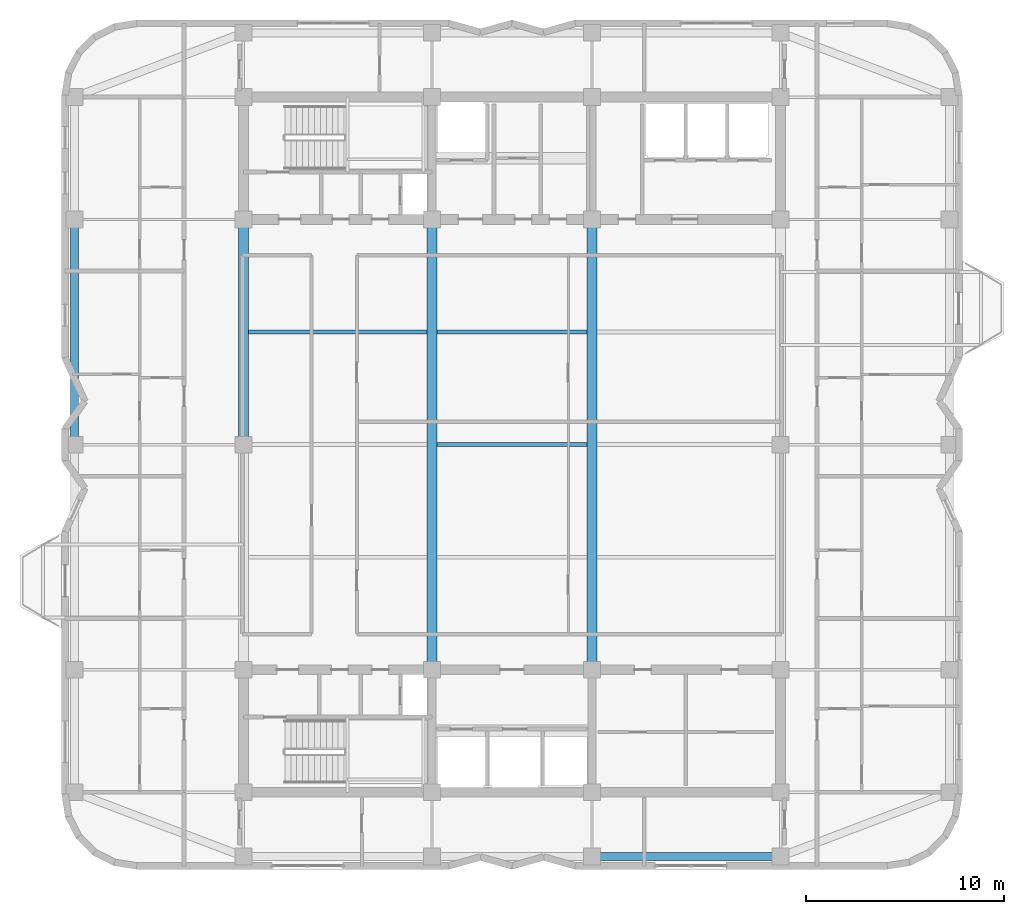
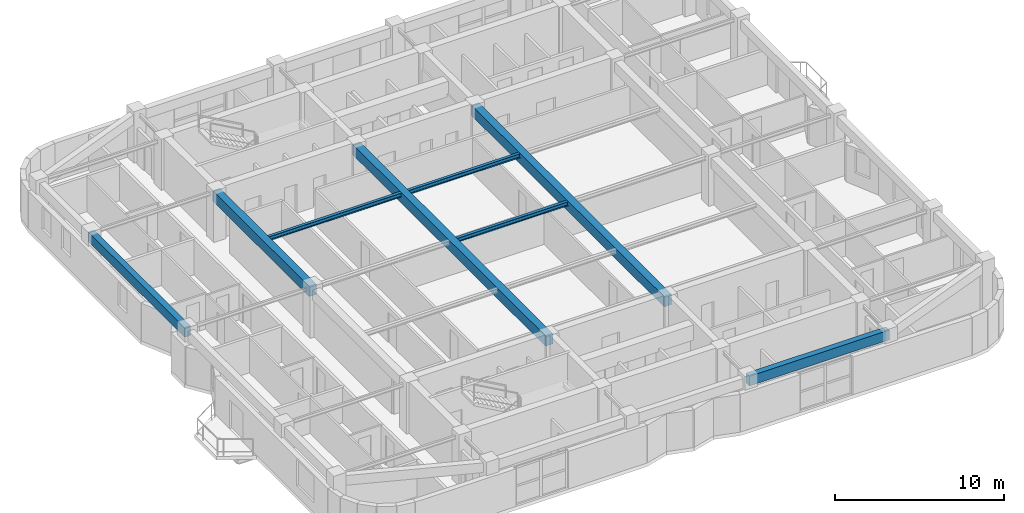
# One storey, part 3 of 14: 8 beams.
"""IFC4 building model written with IfcOpenShell, lengths in metres."""

from ifc_helpers import new_model, si_unit, direction, frame, origin, origin_2d, place, context, subcontext, project, spatial, rectangle, i_section, extrude, material, material_profile, profile_set, type_object, element, save


model = new_model("IFC4")

# Units and contexts
model_context = context("Model", 3, precision=1e-05, world=origin(), true_north=direction((0.0, 1.0)))
body_context = subcontext(model_context, "Body", "Model", "MODEL_VIEW")
ifc_project = project(units=[si_unit("LENGTHUNIT", "METRE"), si_unit("AREAUNIT", "SQUARE_METRE"), si_unit("VOLUMEUNIT", "CUBIC_METRE"), si_unit("PLANEANGLEUNIT", "RADIAN"), si_unit("MASSUNIT", "GRAM", prefix="KILO")], contexts=[model_context])

# Site, building, storey
site_placement = place(None, origin())
site = spatial("IfcSite", under=ifc_project, at=site_placement, CompositionType="ELEMENT")
building_placement = place(site_placement, origin())
building = spatial("IfcBuilding", under=site, at=building_placement, Name="Svetorya Sky Lyceum", CompositionType="ELEMENT")
storey_placement = place(building_placement, frame((0.0, 0.0, 218.39990234375)))
storey = spatial("IfcBuildingStorey", under=building, at=storey_placement, Name="L54", CompositionType="ELEMENT", Elevation=218.39990234375)

# Beams
ifc_material_1 = material(Name="Concrete C50/60", Category="concrete")
ifc_material_profile_1 = material_profile(ifc_material_1, rectangle(XDim=0.5, YDim=0.75, at=origin_2d()), Name="RC BEAM 500x750")
ifc_profile_set_1 = profile_set([ifc_material_profile_1], Name="Concrete C50/60")
beam_type_1 = type_object("IfcBeamType", Name="BM-RC-750", PredefinedType="BEAM", material=ifc_profile_set_1)
beam_1_placement = place(storey_placement, frame((25.60009765625, 28.199951171875, 3.065185546875), z_axis=(0.0, 1.0, 0.0), x_axis=(-1.0, 0.0, 0.0)))
element("IfcBeam", 1, at=beam_1_placement, inside=storey, type_object=beam_type_1, Name="L54 Central Bay Primary Girder CG-1B", PredefinedType="BEAM", context=body_context, shape_type="SweptSolid", body=[
    extrude(rectangle(XDim=0.5, YDim=0.75, at=origin_2d()), origin(), (0.0, 0.0, 1.0), 11.400146484375),
])
for number, where, z_axis, x_axis, name in (
    (2, (35.14990234375, 16.800048828125, 3.065185546875), (0.0, 1.0, 0.0), (-1.0, 0.0, 0.0), "L54 Central Bay Primary Girder CG-2"),
    (3, (43.25, 16.800048828125, 3.065185546875), (0.0, 1.0, 0.0), (-1.0, 0.0, 0.0), "L54 Central Bay Primary Girder CG-3"),
):
    element("IfcBeam", number, at=place(storey_placement, frame(where, z_axis=z_axis, x_axis=x_axis)), inside=storey, type_object=beam_type_1, Name=name, PredefinedType="BEAM", context=body_context, shape_type="SweptSolid", body=[
        extrude(rectangle(XDim=0.5, YDim=0.75, at=origin_2d()), origin(), (0.0, 0.0, 1.0), 22.800048828125),
    ])
ifc_material_profile_2 = material_profile(ifc_material_1, rectangle(XDim=0.39990234375, YDim=0.699951171875, at=origin_2d()), Name="RC SPANDREL 400x700")
ifc_profile_set_2 = profile_set([ifc_material_profile_2], Name="Concrete C50/60")
beam_type_2 = type_object("IfcBeamType", Name="BM-SPN-700", PredefinedType="SPANDREL", material=ifc_profile_set_2)
beam_2_placement = place(storey_placement, frame((43.25, 7.35009765625, 3.090087890625), z_axis=(1.0, 0.0, 0.0), x_axis=(0.0, 1.0, 0.0)))
element("IfcBeam", 4, at=beam_2_placement, inside=storey, type_object=beam_type_2, Name="L54 South Spandrel 3", PredefinedType="SPANDREL", context=body_context, shape_type="SweptSolid", body=[
    extrude(rectangle(XDim=0.39990234375, YDim=0.699951171875, at=origin_2d()), origin(), (0.0, 0.0, 1.0), 9.550048828125),
])
beam_3_placement = place(storey_placement, frame((17.050048828125, 28.199951171875, 3.090087890625), z_axis=(0.0, 1.0, 0.0), x_axis=(-1.0, 0.0, 0.0)))
element("IfcBeam", 5, at=beam_3_placement, inside=storey, type_object=beam_type_2, Name="L54 West Spandrel 3", PredefinedType="SPANDREL", context=body_context, shape_type="SweptSolid", body=[
    extrude(rectangle(XDim=0.39990234375, YDim=0.699951171875, at=origin_2d()), origin(), (0.0, 0.0, 1.0), 11.400146484375),
])
ifc_material_2 = material(Name="Steel S355", Category="steel")
ifc_material_profile_3 = material_profile(ifc_material_2, i_section(OverallWidth=0.199951171875, OverallDepth=0.298095703125, WebThickness=0.008544921875, FlangeThickness=0.012939453125, at=origin_2d()), Name="GOST 30Sh2")
ifc_profile_set_3 = profile_set([ifc_material_profile_3], Name="Steel S355")
beam_type_3 = type_object("IfcBeamType", Name="BM-STL-30SH2", PredefinedType="BEAM", material=ifc_profile_set_3)
beam_4_placement = place(storey_placement, frame((35.39990234375, 28.199951171875, 3.291015625), z_axis=(1.0, 0.0, 0.0), x_axis=(0.0, 1.0, 0.0)))
element("IfcBeam", 6, at=beam_4_placement, inside=storey, type_object=beam_type_3, Name="L54 Central Floor Joist CJ-2.2", PredefinedType="BEAM", context=body_context, shape_type="SweptSolid", body=[
    extrude(i_section(OverallWidth=0.199951171875, OverallDepth=0.298095703125, WebThickness=0.008544921875, FlangeThickness=0.012939453125, at=origin_2d()), origin(), (0.0, 0.0, 1.0), 7.60009765625),
])
beam_5_placement = place(storey_placement, frame((25.85009765625, 33.89990234375, 3.291015625), z_axis=(1.0, 0.0, 0.0), x_axis=(0.0, 1.0, 0.0)))
element("IfcBeam", 7, at=beam_5_placement, inside=storey, type_object=beam_type_3, Name="L54 Central Floor Joist CJ-3.1", PredefinedType="BEAM", context=body_context, shape_type="SweptSolid", body=[
    extrude(i_section(OverallWidth=0.199951171875, OverallDepth=0.298095703125, WebThickness=0.008544921875, FlangeThickness=0.012939453125, at=origin_2d()), origin(), (0.0, 0.0, 1.0), 9.0498046875),
])
beam_6_placement = place(storey_placement, frame((35.39990234375, 33.89990234375, 3.291015625), z_axis=(1.0, 0.0, 0.0), x_axis=(0.0, 1.0, 0.0)))
element("IfcBeam", 8, at=beam_6_placement, inside=storey, type_object=beam_type_3, Name="L54 Central Floor Joist CJ-3.2", PredefinedType="BEAM", context=body_context, shape_type="SweptSolid", body=[
    extrude(i_section(OverallWidth=0.199951171875, OverallDepth=0.298095703125, WebThickness=0.008544921875, FlangeThickness=0.012939453125, at=origin_2d()), origin(), (0.0, 0.0, 1.0), 7.60009765625),
])

save(model, "model.ifc")
